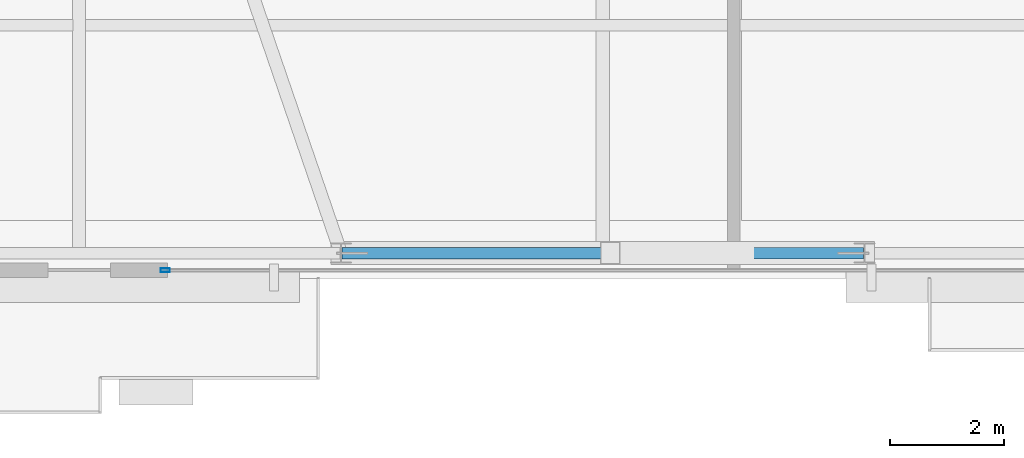
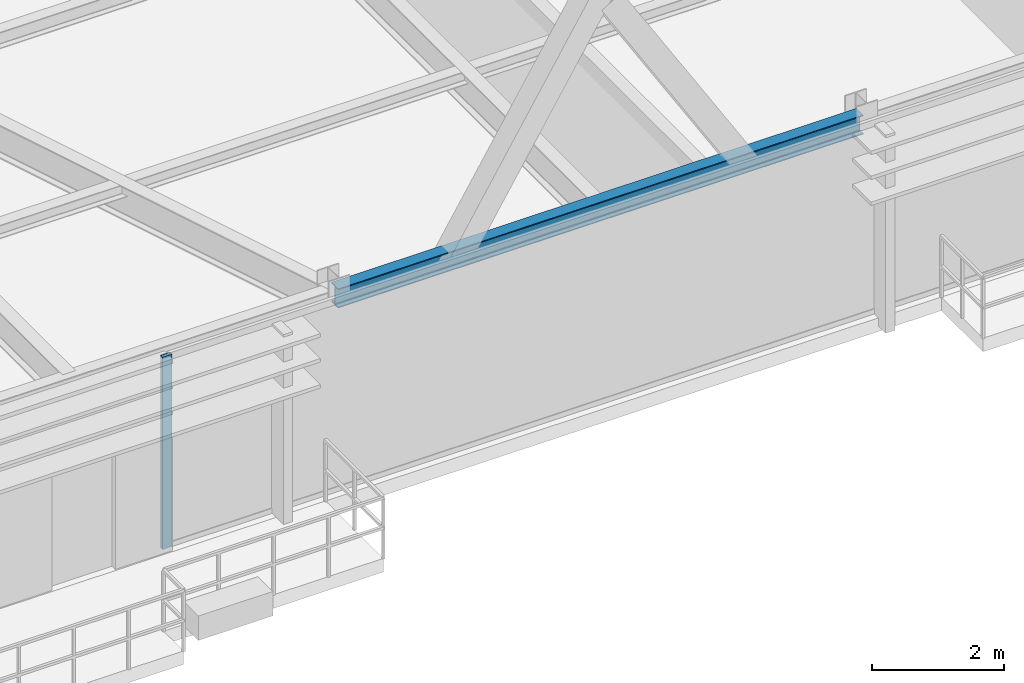
# One storey, part 8 of 31: 1 beam, 1 member, 1 element without a shape of its own.
"""IFC4 building model written with IfcOpenShell, lengths in metres."""

from ifc_helpers import new_model, si_unit, direction, frame, origin, origin_2d, place, context, subcontext, project, spatial, hollow_rectangle, i_section, extrude, source, transform, mapped, material, layer, layer_set, material_profile, profile_set, type_object, type_shapes, element, aggregate, save


model = new_model("IFC4")

# Units and contexts
model_context = context("Model", 3, precision=1e-05, world=origin(), true_north=direction((0.0, 1.0)))
body_context = subcontext(model_context, "Body", "Model", "MODEL_VIEW")
ifc_project = project(units=[si_unit("LENGTHUNIT", "METRE"), si_unit("AREAUNIT", "SQUARE_METRE"), si_unit("VOLUMEUNIT", "CUBIC_METRE"), si_unit("PLANEANGLEUNIT", "RADIAN"), si_unit("MASSUNIT", "GRAM", prefix="KILO")], contexts=[model_context])

# Site, building, storey
site_placement = place(None, origin())
site = spatial("IfcSite", under=ifc_project, at=site_placement, CompositionType="ELEMENT")
building_placement = place(site_placement, origin())
building = spatial("IfcBuilding", under=site, at=building_placement, Name="Varnel Quay Broadcast Tower", CompositionType="ELEMENT")
storey_placement = place(building_placement, frame((0.0, 0.0, 239.39990234375)))
storey = spatial("IfcBuildingStorey", under=building, at=storey_placement, Name="L59", CompositionType="ELEMENT", Elevation=239.39990234375)

# Beam
ifc_material_1 = material(Name="Structural Steel CSA G40.21 350W", Category="steel")
ifc_material_profile_1 = material_profile(ifc_material_1, i_section(OverallWidth=0.205078125, OverallDepth=0.35400390625, WebThickness=0.009521484375, FlangeThickness=0.016845703125, FilletRadius=0.012939453125, at=origin_2d()), Name="W360X79")
ifc_profile_set_1 = profile_set([ifc_material_profile_1], Name="Structural Steel CSA G40.21 350W")
beam_type = type_object("IfcBeamType", Name="Beam_W360X79", PredefinedType="SPANDREL", material=ifc_profile_set_1)
shared_shape_1 = source(origin(), body_context, "Body", "SweptSolid", [
    extrude(i_section(OverallWidth=0.205078125, OverallDepth=0.35400390625, WebThickness=0.009521484375, FlangeThickness=0.016845703125, FilletRadius=0.012939453125, at=origin_2d()), origin(), (0.0, 0.0, 1.0), 9.16015625),
])
type_shapes(beam_type, [shared_shape_1])
beam_placement = place(storey_placement, frame((29.419921875, 10.64990234375, 3.373046875), z_axis=(1.0, 0.0, 0.0), x_axis=(0.0, 1.0, 0.0)))
element("IfcBeam", 1, at=beam_placement, inside=storey, type_object=beam_type, Name="L59 South Spandrel TC-S2-TC-S3", PredefinedType="SPANDREL", context=body_context, shape_type="MappedRepresentation", body=[
    mapped(shared_shape_1, transform((0.0, 0.0, 0.0), x_axis=(1.0, 0.0, 0.0), y_axis=(0.0, 1.0, 0.0), z_axis=(0.0, 0.0, 1.0), scale=1.0)),
])

# Curtain wall, member
ifc_material_2 = material(Name="Anodised Bronze Aluminium 6063-T6", Category="aluminium")
ifc_layer = layer(ifc_material_2, 0.18994140625, Name="Anodised Bronze Aluminium 6063-T6")
ifc_layer_set = layer_set([ifc_layer], Name="Anodised Bronze Aluminium 6063-T6")
curtain_wall_type = type_object("IfcCurtainWallType", Name="CW_UpperTower", PredefinedType="NOTDEFINED", material=ifc_layer_set)
curtain_wall_placement = place(storey_placement, origin())
curtain_wall = element("IfcCurtainWall", 2, at=curtain_wall_placement, inside=storey, type_object=curtain_wall_type, Name="L59 South Unitised Curtain Wall 2", PredefinedType="NOTDEFINED")
ifc_material_profile_2 = material_profile(ifc_material_2, hollow_rectangle(XDim=0.06494140625, YDim=0.1650390625, WallThickness=0.00341796875, at=origin_2d()), Name="ALU65X165X3.5")
ifc_profile_set_2 = profile_set([ifc_material_profile_2], Name="Anodised Bronze Aluminium 6063-T6")
member_type = type_object("IfcMemberType", Name="Mull_CWS-03", PredefinedType="MULLION", material=ifc_profile_set_2)
shared_shape_2 = source(origin(), body_context, "Body", "SweptSolid", [
    extrude(hollow_rectangle(XDim=0.06494140625, YDim=0.1650390625, WallThickness=0.00341796875, at=origin_2d()), origin(), (0.0, 0.0, 1.0), 3.550048828125),
])
type_shapes(member_type, [shared_shape_2])
member_placement = place(storey_placement, frame((26.3125, 10.35009765625, 0.0), z_axis=(0.0, 0.0, 1.0), x_axis=(0.0, 1.0, 0.0)))
member = element("IfcMember", 3, at=member_placement, type_object=member_type, Name="CWS-03 mullion 1", PredefinedType="MULLION", context=body_context, shape_type="MappedRepresentation", body=[
    mapped(shared_shape_2, transform((0.0, 0.0, 0.0), x_axis=(1.0, 0.0, 0.0), y_axis=(0.0, 1.0, 0.0), z_axis=(0.0, 0.0, 1.0), scale=1.0)),
])
aggregate(curtain_wall, [member])

save(model, "model.ifc")
